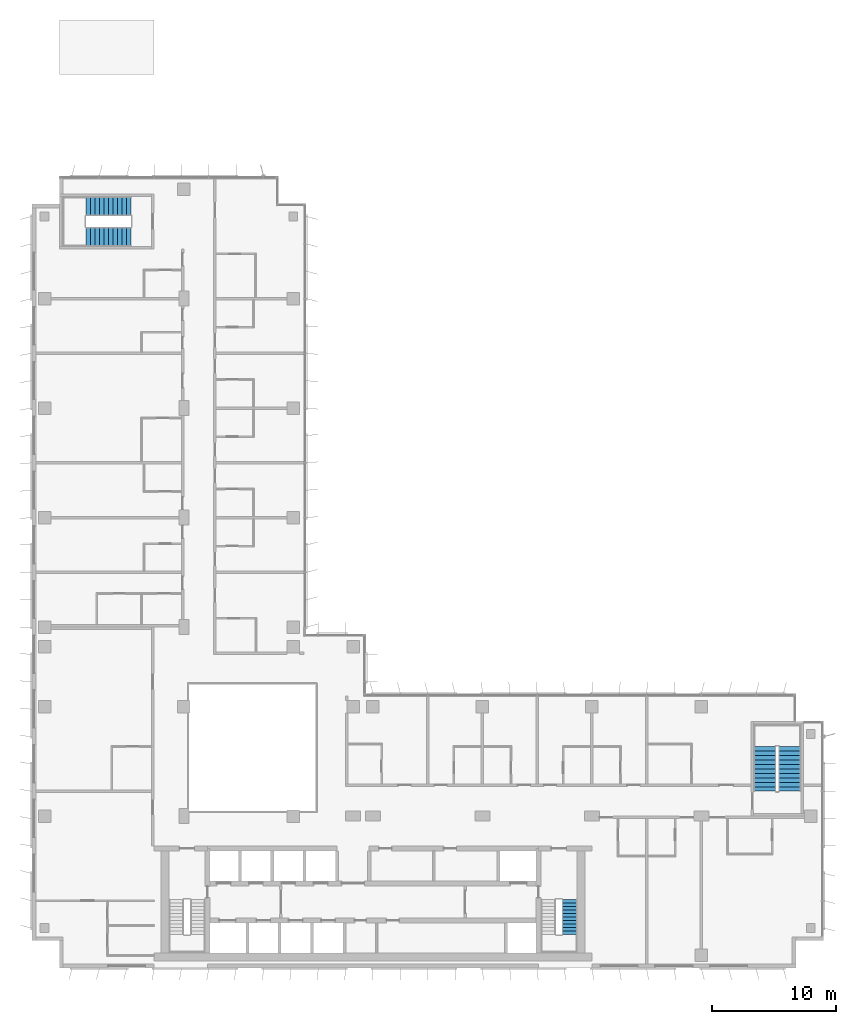
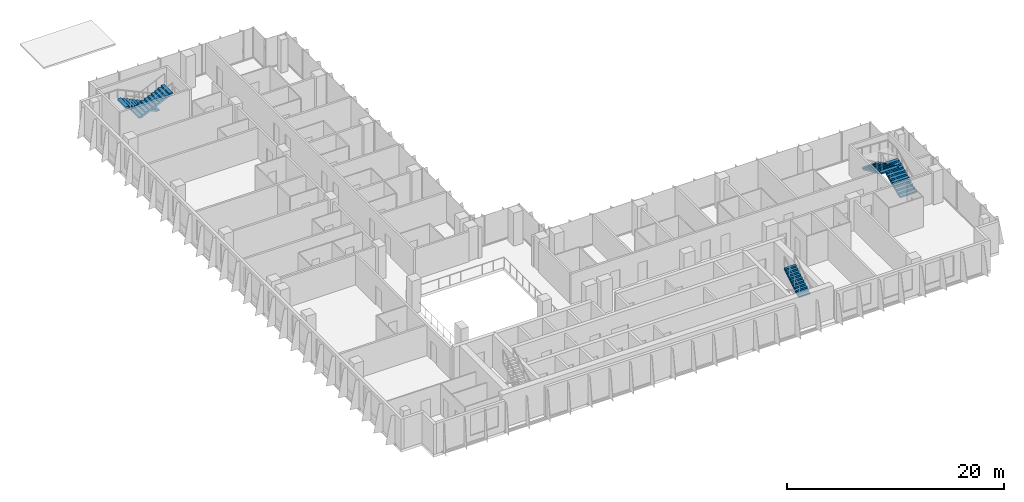
# One storey, part 18 of 21: 5 stair flights, 3 elements without a shape of their own.
"""IFC4 building model written with IfcOpenShell, lengths in metres."""

from ifc_helpers import new_model, si_unit, direction, frame, origin, place, context, subcontext, project, spatial, polyline, outline, extrude, material, type_object, element, aggregate, save


model = new_model("IFC4")

# Units and contexts
model_context = context("Model", 3, precision=1e-05, world=origin(), true_north=direction((0.0, 1.0)))
body_context = subcontext(model_context, "Body", "Model", "MODEL_VIEW")
ifc_project = project(units=[si_unit("LENGTHUNIT", "METRE"), si_unit("AREAUNIT", "SQUARE_METRE"), si_unit("VOLUMEUNIT", "CUBIC_METRE"), si_unit("PLANEANGLEUNIT", "RADIAN"), si_unit("MASSUNIT", "GRAM", prefix="KILO")], contexts=[model_context])

# Site, building, storey
site_placement = place(None, origin())
site = spatial("IfcSite", under=ifc_project, at=site_placement, CompositionType="ELEMENT")
building_placement = place(site_placement, origin())
building = spatial("IfcBuilding", under=site, at=building_placement, Name="Kemantara Hotel Tower", CompositionType="ELEMENT")
storey_placement = place(building_placement, frame((0.0, 0.0, 156.800048828125)))
storey = spatial("IfcBuildingStorey", under=building, at=storey_placement, Name="L38", CompositionType="ELEMENT", Elevation=156.800048828125)

# Stair, stair flight
ifc_material = material(Name="Concrete fc 40 MPa", Category="concrete")
stair_type_1 = type_object("IfcStairType", Name="Stair 1200 wide 22 risers of 168 x 280 mm", PredefinedType="HALF_TURN_STAIR", material=ifc_material)
stair_1_placement = place(storey_placement, origin())
stair_1 = element("IfcStair", 1, at=stair_1_placement, inside=storey, type_object=stair_type_1, Name="L38 Exit stair ST2", PredefinedType="HALF_TURN_STAIR")
stair_flight_type_1 = type_object("IfcStairFlightType", Name="Stair flight 1200 wide 168 x 280 mm", PredefinedType="STRAIGHT", material=ifc_material)
stair_flight_1_placement = place(storey_placement, frame((43.199951171875, 2.699951171875, 1.849853515625), z_axis=(0.0, 0.0, 1.0), x_axis=(0.0, 1.0, 0.0)))
stair_flight_1 = element("IfcStairFlight", 2, at=stair_flight_1_placement, type_object=stair_flight_type_1, Name="ST2 flight 2", NumberOfRisers=11, NumberOfTreads=10, PredefinedType="STRAIGHT", RiserHeight=0.168181818, TreadLength=0.28, context=body_context, shape_type="SweptSolid", body=[
    extrude(outline(polyline([(0.0, 0.0), (0.0, 0.168212890625), (0.280029296875, 0.168212890625), (0.280029296875, 0.33642578125), (0.56005859375, 0.33642578125), (0.56005859375, 0.504638671875), (0.840087890625, 0.504638671875), (0.840087890625, 0.672607421875), (1.1201171875, 0.672607421875), (1.1201171875, 0.8408203125), (1.39990234375, 0.8408203125), (1.39990234375, 1.009033203125), (1.679931640625, 1.009033203125), (1.679931640625, 1.17724609375), (1.9599609375, 1.17724609375), (1.9599609375, 1.345458984375), (2.239990234375, 1.345458984375), (2.239990234375, 1.513671875), (2.52001953125, 1.513671875), (2.52001953125, 1.681884765625), (2.800048828125, 1.681884765625), (2.800048828125, 1.85009765625), (2.800048828125, 1.5068359375), (0.291015625, 0.0), (0.0, 0.0)])), frame((0.0, 0.60009765625, 0.0), z_axis=(0.0, -1.0, 0.0), x_axis=(1.0, 0.0, 0.0)), (0.0, 0.0, 1.0), 1.199951171875),
])
aggregate(stair_1, [stair_flight_1])

# Stair, stair flights
stair_type_2 = type_object("IfcStairType", Name="Stair 1550 wide 22 risers of 168 x 360 mm", PredefinedType="HALF_TURN_STAIR", material=ifc_material)
stair_2_placement = place(storey_placement, origin())
stair_2 = element("IfcStair", 3, at=stair_2_placement, inside=storey, type_object=stair_type_2, Name="L38 Exit stair ST4", PredefinedType="HALF_TURN_STAIR")
stair_flight_type_2 = type_object("IfcStairFlightType", Name="Stair flight 1550 wide 168 x 360 mm", PredefinedType="STRAIGHT", material=ifc_material)
stair_flight_2_placement = place(storey_placement, frame((7.949951171875, 61.22509765625, 0.0), z_axis=(0.0, 0.0, 1.0), x_axis=(-1.0, 0.0, 0.0)))
stair_flight_2 = element("IfcStairFlight", 4, at=stair_flight_2_placement, type_object=stair_flight_type_2, Name="ST4 flight 1", NumberOfRisers=11, NumberOfTreads=10, PredefinedType="STRAIGHT", RiserHeight=0.168181818, TreadLength=0.36, context=body_context, shape_type="SweptSolid", body=[
    extrude(outline(polyline([(0.0, 0.0), (0.0, 0.168212890625), (0.360107421875, 0.168212890625), (0.360107421875, 0.33642578125), (0.719970703125, 0.33642578125), (0.719970703125, 0.504638671875), (1.080078125, 0.504638671875), (1.080078125, 0.672607421875), (1.43994140625, 0.672607421875), (1.43994140625, 0.8408203125), (1.800048828125, 0.8408203125), (1.800048828125, 1.009033203125), (2.159912109375, 1.009033203125), (2.159912109375, 1.17724609375), (2.52001953125, 1.17724609375), (2.52001953125, 1.345458984375), (2.8798828125, 1.345458984375), (2.8798828125, 1.513671875), (3.239990234375, 1.513671875), (3.239990234375, 1.681884765625), (3.60009765625, 1.681884765625), (3.60009765625, 1.85009765625), (3.60009765625, 1.516357421875), (0.354248046875, 0.0), (0.0, 0.0)])), frame((0.0, 0.77490234375, 0.0), z_axis=(0.0, -1.0, 0.0), x_axis=(1.0, 0.0, 0.0)), (0.0, 0.0, 1.0), 1.550048828125),
])
stair_flight_3_placement = place(storey_placement, frame((4.35009765625, 58.77490234375, 1.849853515625), z_axis=(0.0, 0.0, 1.0), x_axis=(1.0, 0.0, 0.0)))
stair_flight_3 = element("IfcStairFlight", 5, at=stair_flight_3_placement, type_object=stair_flight_type_2, Name="ST4 flight 2", NumberOfRisers=11, NumberOfTreads=10, PredefinedType="STRAIGHT", RiserHeight=0.168181818, TreadLength=0.36, context=body_context, shape_type="SweptSolid", body=[
    extrude(outline(polyline([(0.0, 0.0), (0.0, 0.168212890625), (0.360107421875, 0.168212890625), (0.360107421875, 0.33642578125), (0.719970703125, 0.33642578125), (0.719970703125, 0.504638671875), (1.080078125, 0.504638671875), (1.080078125, 0.672607421875), (1.43994140625, 0.672607421875), (1.43994140625, 0.8408203125), (1.800048828125, 0.8408203125), (1.800048828125, 1.009033203125), (2.159912109375, 1.009033203125), (2.159912109375, 1.17724609375), (2.52001953125, 1.17724609375), (2.52001953125, 1.345458984375), (2.8798828125, 1.345458984375), (2.8798828125, 1.513671875), (3.239990234375, 1.513671875), (3.239990234375, 1.681884765625), (3.60009765625, 1.681884765625), (3.60009765625, 1.85009765625), (3.60009765625, 1.516357421875), (0.354248046875, 0.0), (0.0, 0.0)])), frame((0.0, 0.77490234375, 0.0), z_axis=(0.0, -1.0, 0.0), x_axis=(1.0, 0.0, 0.0)), (0.0, 0.0, 1.0), 1.550048828125),
])
aggregate(stair_2, [stair_flight_2, stair_flight_3])

stair_type_3 = type_object("IfcStairType", Name="Stair 1800 wide 22 risers of 168 x 360 mm", PredefinedType="HALF_TURN_STAIR", material=ifc_material)
stair_3_placement = place(storey_placement, origin())
stair_3 = element("IfcStair", 6, at=stair_3_placement, inside=storey, type_object=stair_type_3, Name="L38 Exit stair ST3", PredefinedType="HALF_TURN_STAIR")
stair_flight_type_3 = type_object("IfcStairFlightType", Name="Stair flight 1800 wide 168 x 360 mm", PredefinedType="STRAIGHT", material=ifc_material)
stair_flight_4_placement = place(storey_placement, frame((60.89990234375, 14.199951171875, 0.0), z_axis=(0.0, 0.0, 1.0), x_axis=(0.0, 1.0, 0.0)))
stair_flight_4 = element("IfcStairFlight", 7, at=stair_flight_4_placement, type_object=stair_flight_type_3, Name="ST3 flight 1", NumberOfRisers=11, NumberOfTreads=10, PredefinedType="STRAIGHT", RiserHeight=0.168181818, TreadLength=0.36, context=body_context, shape_type="SweptSolid", body=[
    extrude(outline(polyline([(0.0, 0.0), (0.0, 0.168212890625), (0.360107421875, 0.168212890625), (0.360107421875, 0.33642578125), (0.719970703125, 0.33642578125), (0.719970703125, 0.504638671875), (1.080078125, 0.504638671875), (1.080078125, 0.672607421875), (1.43994140625, 0.672607421875), (1.43994140625, 0.8408203125), (1.800048828125, 0.8408203125), (1.800048828125, 1.009033203125), (2.159912109375, 1.009033203125), (2.159912109375, 1.17724609375), (2.52001953125, 1.17724609375), (2.52001953125, 1.345458984375), (2.8798828125, 1.345458984375), (2.8798828125, 1.513671875), (3.239990234375, 1.513671875), (3.239990234375, 1.681884765625), (3.60009765625, 1.681884765625), (3.60009765625, 1.85009765625), (3.60009765625, 1.516357421875), (0.354248046875, 0.0), (0.0, 0.0)])), frame((0.0, 0.89990234375, 0.0), z_axis=(0.0, -1.0, 0.0), x_axis=(1.0, 0.0, 0.0)), (0.0, 0.0, 1.0), 1.800048828125),
])
stair_flight_5_placement = place(storey_placement, frame((58.89990234375, 17.800048828125, 1.849853515625), z_axis=(0.0, 0.0, 1.0), x_axis=(0.0, -1.0, 0.0)))
stair_flight_5 = element("IfcStairFlight", 8, at=stair_flight_5_placement, type_object=stair_flight_type_3, Name="ST3 flight 2", NumberOfRisers=11, NumberOfTreads=10, PredefinedType="STRAIGHT", RiserHeight=0.168181818, TreadLength=0.36, context=body_context, shape_type="SweptSolid", body=[
    extrude(outline(polyline([(0.0, 0.0), (0.0, 0.168212890625), (0.360107421875, 0.168212890625), (0.360107421875, 0.33642578125), (0.719970703125, 0.33642578125), (0.719970703125, 0.504638671875), (1.080078125, 0.504638671875), (1.080078125, 0.672607421875), (1.43994140625, 0.672607421875), (1.43994140625, 0.8408203125), (1.800048828125, 0.8408203125), (1.800048828125, 1.009033203125), (2.159912109375, 1.009033203125), (2.159912109375, 1.17724609375), (2.52001953125, 1.17724609375), (2.52001953125, 1.345458984375), (2.8798828125, 1.345458984375), (2.8798828125, 1.513671875), (3.239990234375, 1.513671875), (3.239990234375, 1.681884765625), (3.60009765625, 1.681884765625), (3.60009765625, 1.85009765625), (3.60009765625, 1.516357421875), (0.354248046875, 0.0), (0.0, 0.0)])), frame((0.0, 0.89990234375, 0.0), z_axis=(0.0, -1.0, 0.0), x_axis=(1.0, 0.0, 0.0)), (0.0, 0.0, 1.0), 1.800048828125),
])
aggregate(stair_3, [stair_flight_4, stair_flight_5])

save(model, "model.ifc")
